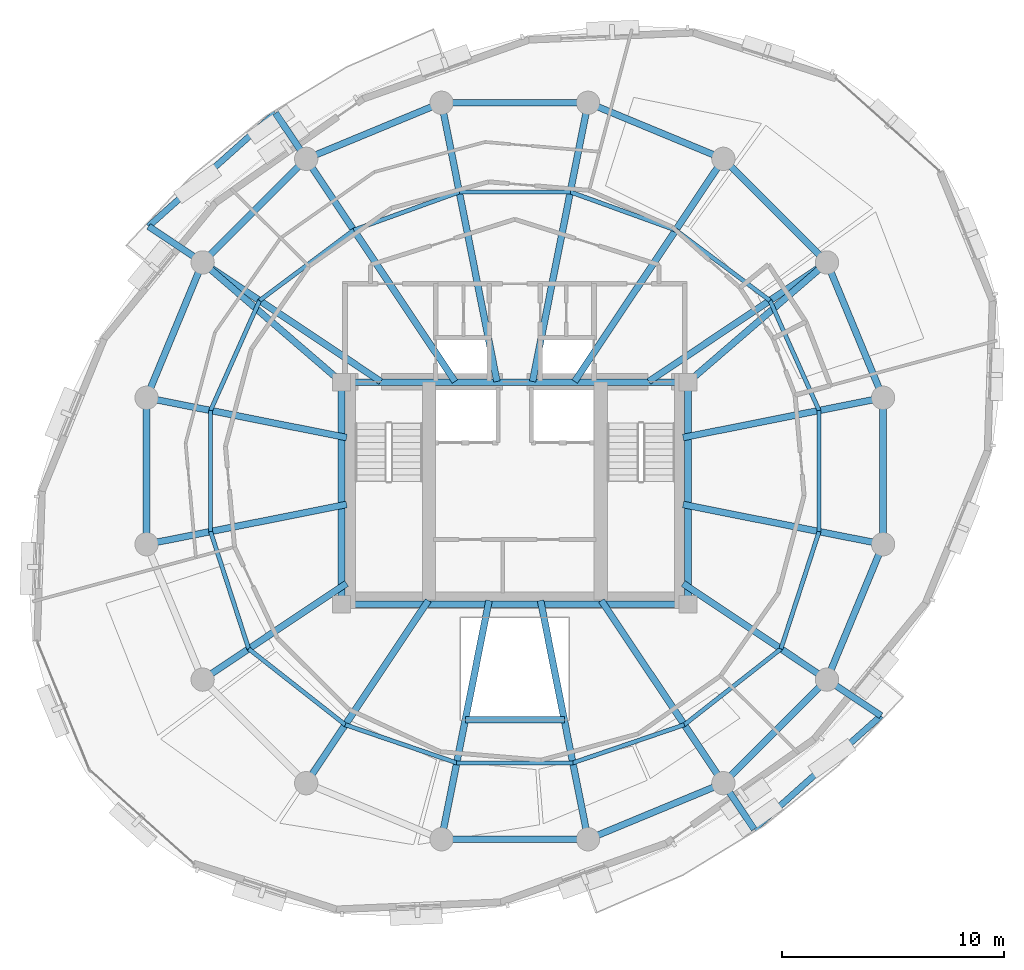
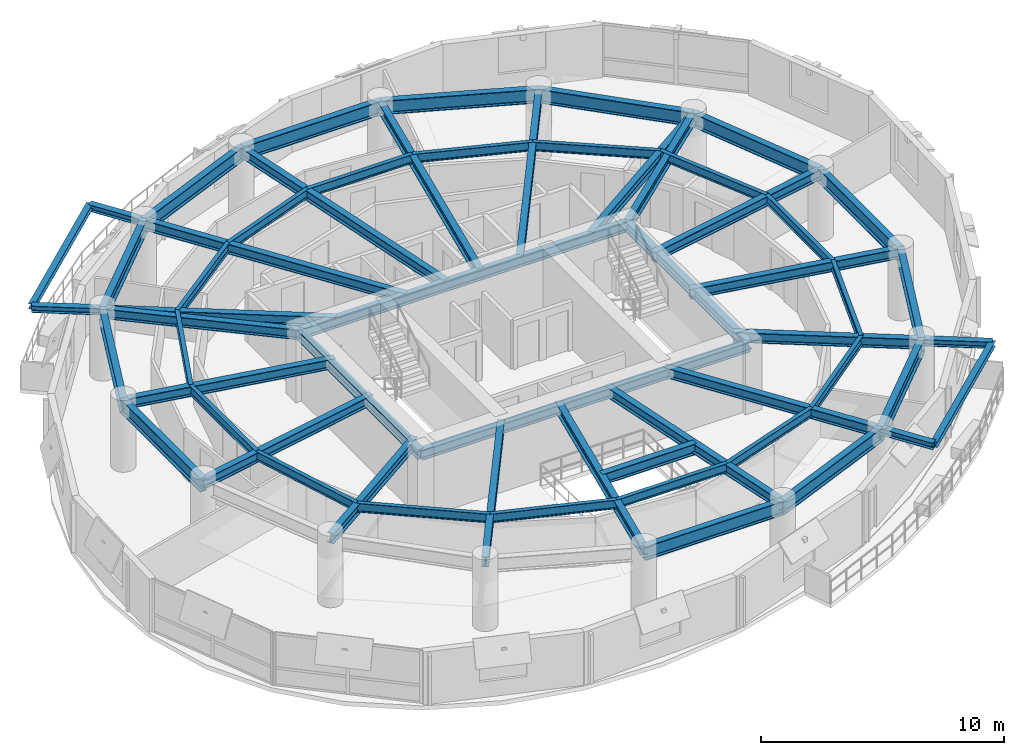
# One storey, part 4 of 11: 58 beams.
"""IFC4 building model written with IfcOpenShell, lengths in metres."""

from ifc_helpers import new_model, si_unit, direction, frame, origin, origin_2d, place, context, subcontext, project, spatial, i_section, extrude, material, material_profile, profile_set, type_object, element, save


model = new_model("IFC4")

# Units and contexts
model_context = context("Model", 3, precision=1e-05, world=origin(), true_north=direction((0.0, 1.0)))
body_context = subcontext(model_context, "Body", "Model", "MODEL_VIEW")
ifc_project = project(units=[si_unit("LENGTHUNIT", "METRE"), si_unit("AREAUNIT", "SQUARE_METRE"), si_unit("VOLUMEUNIT", "CUBIC_METRE"), si_unit("PLANEANGLEUNIT", "RADIAN"), si_unit("MASSUNIT", "GRAM", prefix="KILO"), si_unit("THERMODYNAMICTEMPERATUREUNIT", "KELVIN"), si_unit("POWERUNIT", "WATT")], contexts=[model_context])

# Site, building, storey
site_placement = place(None, origin())
site = spatial("IfcSite", under=ifc_project, at=site_placement, CompositionType="ELEMENT")
building_placement = place(site_placement, origin())
building = spatial("IfcBuilding", under=site, at=building_placement, Name="Ocrelia Relay Tower", CompositionType="ELEMENT")
storey_placement = place(building_placement, frame((0.0, 0.0, 180.800048828125)))
storey = spatial("IfcBuildingStorey", under=building, at=storey_placement, Name="L43", CompositionType="ELEMENT", Elevation=180.800048828125)

# Beams
ifc_material = material(Name="Steel S355", Category="steel")
ifc_material_profile_1 = material_profile(ifc_material, i_section(OverallWidth=0.280029296875, OverallDepth=0.27001953125, WebThickness=0.008056640625, FlangeThickness=0.012939453125, FilletRadius=0.02392578125, at=origin_2d()), Name="HEA 280")
ifc_profile_set_1 = profile_set([ifc_material_profile_1], Name="Steel S355")
beam_type_1 = type_object("IfcBeamType", Name="BM-HEA280", PredefinedType="BEAM", material=ifc_profile_set_1)
for number, where, z_axis, x_axis, name in (
    (1, (23.229736328125, 42.118896484375, 3.244873046875), (-0.745798567353, -0.666171522158, 0.0), (0.666171522158, -0.745798567353, 0.0), "L44 Balcony Edge Trimmer Beam B1"),
    (2, (44.770263671875, 9.881103515625, 3.244873046875), (0.745798567353, 0.666171522158, 0.0), (-0.666171522158, 0.745798567353, 0.0), "L44 Balcony Edge Trimmer Beam B2"),
):
    element("IfcBeam", number, at=place(storey_placement, frame(where, z_axis=z_axis, x_axis=x_axis)), inside=storey, type_object=beam_type_1, Name=name, PredefinedType="BEAM", context=body_context, shape_type="SweptSolid", body=[
        extrude(i_section(OverallWidth=0.280029296875, OverallDepth=0.27001953125, WebThickness=0.008056640625, FlangeThickness=0.012939453125, FilletRadius=0.02392578125, at=origin_2d()), origin(), (0.0, 0.0, 1.0), 7.662109375),
    ])
ifc_material_profile_2 = material_profile(ifc_material, i_section(OverallWidth=0.300048828125, OverallDepth=0.330078125, WebThickness=0.009521484375, FlangeThickness=0.0166015625, FilletRadius=0.027099609375, at=origin_2d()), Name="HEA 340")
ifc_profile_set_2 = profile_set([ifc_material_profile_2], Name="Steel S355")
beam_type_2 = type_object("IfcBeamType", Name="BM-HEA340", PredefinedType="BEAM", material=ifc_profile_set_2)
beam_1_placement = place(storey_placement, frame((24.61083984375, 40.0517578125, 3.21484375), z_axis=(-0.555538423207, 0.831490866059, 0.0), x_axis=(-0.831490866059, -0.555538423207, 0.0)))
element("IfcBeam", 3, at=beam_1_placement, inside=storey, type_object=beam_type_2, Name="L44 Balcony Cantilever Beam B1-1", PredefinedType="BEAM", context=body_context, shape_type="SweptSolid", body=[
    extrude(i_section(OverallWidth=0.300048828125, OverallDepth=0.330078125, WebThickness=0.009521484375, FlangeThickness=0.0166015625, FilletRadius=0.027099609375, at=origin_2d()), origin(), (0.0, 0.0, 1.0), 2.486083984375),
])
beam_2_placement = place(storey_placement, frame((19.9482421875, 35.38916015625, 3.21484375), z_axis=(-0.831485034675, 0.555547151115, 0.0), x_axis=(-0.555547151115, -0.831485034675, 0.0)))
element("IfcBeam", 4, at=beam_2_placement, inside=storey, type_object=beam_type_2, Name="L44 Balcony Cantilever Beam B1-2", PredefinedType="BEAM", context=body_context, shape_type="SweptSolid", body=[
    extrude(i_section(OverallWidth=0.300048828125, OverallDepth=0.330078125, WebThickness=0.009521484375, FlangeThickness=0.0166015625, FilletRadius=0.027099609375, at=origin_2d()), origin(), (0.0, 0.0, 1.0), 2.926025390625),
])
beam_3_placement = place(storey_placement, frame((43.38916015625, 11.9482421875, 3.21484375), z_axis=(0.555538423207, -0.831490866059, 0.0), x_axis=(0.831490866059, 0.555538423207, 0.0)))
element("IfcBeam", 5, at=beam_3_placement, inside=storey, type_object=beam_type_2, Name="L44 Balcony Cantilever Beam B2-1", PredefinedType="BEAM", context=body_context, shape_type="SweptSolid", body=[
    extrude(i_section(OverallWidth=0.300048828125, OverallDepth=0.330078125, WebThickness=0.009521484375, FlangeThickness=0.0166015625, FilletRadius=0.027099609375, at=origin_2d()), origin(), (0.0, 0.0, 1.0), 2.486083984375),
])
beam_4_placement = place(storey_placement, frame((48.0517578125, 16.61083984375, 3.21484375), z_axis=(0.831485034675, -0.555547151115, 0.0), x_axis=(0.555547151115, 0.831485034675, 0.0)))
element("IfcBeam", 6, at=beam_4_placement, inside=storey, type_object=beam_type_2, Name="L44 Balcony Cantilever Beam B2-2", PredefinedType="BEAM", context=body_context, shape_type="SweptSolid", body=[
    extrude(i_section(OverallWidth=0.300048828125, OverallDepth=0.330078125, WebThickness=0.009521484375, FlangeThickness=0.0166015625, FilletRadius=0.027099609375, at=origin_2d()), origin(), (0.0, 0.0, 1.0), 2.926025390625),
])
ifc_material_profile_3 = material_profile(ifc_material, i_section(OverallWidth=0.300048828125, OverallDepth=0.5, WebThickness=0.014404296875, FlangeThickness=0.028076171875, FilletRadius=0.027099609375, at=origin_2d()), Name="HEB 500")
ifc_profile_set_3 = profile_set([ifc_material_profile_3], Name="Steel S355")
beam_type_3 = type_object("IfcBeamType", Name="BM-HEB500", PredefinedType="BEAM", material=ifc_profile_set_3)
for number, where, z_axis, x_axis, name in (
    (7, (26.199951171875, 20.0, 3.1298828125), (1.0, 0.0, 0.0), (0.0, 1.0, 0.0), "L43 Core Pilaster Tie Beam S"),
    (8, (26.199951171875, 30.0, 3.1298828125), (1.0, 0.0, 0.0), (0.0, 1.0, 0.0), "L43 Core Pilaster Tie Beam N"),
):
    element("IfcBeam", number, at=place(storey_placement, frame(where, z_axis=z_axis, x_axis=x_axis)), inside=storey, type_object=beam_type_3, Name=name, PredefinedType="BEAM", context=body_context, shape_type="SweptSolid", body=[
        extrude(i_section(OverallWidth=0.300048828125, OverallDepth=0.5, WebThickness=0.014404296875, FlangeThickness=0.028076171875, FilletRadius=0.027099609375, at=origin_2d()), origin(), (0.0, 0.0, 1.0), 15.60009765625),
    ])
for number, where, z_axis, x_axis, name in (
    (9, (26.199951171875, 20.0, 3.1298828125), (0.0, 1.0, 0.0), (-1.0, 0.0, 0.0), "L43 Core Pilaster Tie Beam W"),
    (10, (41.800048828125, 20.0, 3.1298828125), (0.0, 1.0, 0.0), (-1.0, 0.0, 0.0), "L43 Core Pilaster Tie Beam E"),
):
    element("IfcBeam", number, at=place(storey_placement, frame(where, z_axis=z_axis, x_axis=x_axis)), inside=storey, type_object=beam_type_3, Name=name, PredefinedType="BEAM", context=body_context, shape_type="SweptSolid", body=[
        extrude(i_section(OverallWidth=0.300048828125, OverallDepth=0.5, WebThickness=0.014404296875, FlangeThickness=0.028076171875, FilletRadius=0.027099609375, at=origin_2d()), origin(), (0.0, 0.0, 1.0), 10.0),
    ])
beam_5_placement = place(storey_placement, frame((50.5751953125, 29.297119140625, 3.1298828125), z_axis=(-0.980783891197, -0.1950973059, 0.0), x_axis=(0.1950973059, -0.980783891197, 0.0)))
element("IfcBeam", 11, at=beam_5_placement, inside=storey, type_object=beam_type_3, Name="L43 Radial Floor Girder R01", PredefinedType="BEAM", context=body_context, shape_type="SweptSolid", body=[
    extrude(i_section(OverallWidth=0.300048828125, OverallDepth=0.5, WebThickness=0.014404296875, FlangeThickness=0.028076171875, FilletRadius=0.027099609375, at=origin_2d()), origin(), (0.0, 0.0, 1.0), 9.17138671875),
])
beam_6_placement = place(storey_placement, frame((48.0517578125, 35.38916015625, 3.1298828125), z_axis=(-0.831469666235, -0.555570152305, 0.0), x_axis=(0.555570152305, -0.831469666235, 0.0)))
element("IfcBeam", 12, at=beam_6_placement, inside=storey, type_object=beam_type_3, Name="L43 Radial Floor Girder R02", PredefinedType="BEAM", context=body_context, shape_type="SweptSolid", body=[
    extrude(i_section(OverallWidth=0.300048828125, OverallDepth=0.5, WebThickness=0.014404296875, FlangeThickness=0.028076171875, FilletRadius=0.027099609375, at=origin_2d()), origin(), (0.0, 0.0, 1.0), 9.646240234375),
])
beam_7_placement = place(storey_placement, frame((48.0517578125, 35.38916015625, 3.1298828125), z_axis=(-0.757424589403, -0.652922653434, 0.0), x_axis=(0.652922653434, -0.757424589403, 0.0)))
element("IfcBeam", 13, at=beam_7_placement, inside=storey, type_object=beam_type_3, Name="L43 Core Pilaster Frame Tie Beam PT02", PredefinedType="BEAM", context=body_context, shape_type="SweptSolid", body=[
    extrude(i_section(OverallWidth=0.300048828125, OverallDepth=0.5, WebThickness=0.014404296875, FlangeThickness=0.028076171875, FilletRadius=0.027099609375, at=origin_2d()), origin(), (0.0, 0.0, 1.0), 8.25390625),
])
beam_8_placement = place(storey_placement, frame((43.38916015625, 40.0517578125, 3.1298828125), z_axis=(-0.55556932408, -0.831470219636, 0.0), x_axis=(0.831470219636, -0.55556932408, 0.0)))
element("IfcBeam", 14, at=beam_8_placement, inside=storey, type_object=beam_type_3, Name="L43 Radial Floor Girder R03", PredefinedType="BEAM", context=body_context, shape_type="SweptSolid", body=[
    extrude(i_section(OverallWidth=0.300048828125, OverallDepth=0.5, WebThickness=0.014404296875, FlangeThickness=0.028076171875, FilletRadius=0.027099609375, at=origin_2d()), origin(), (0.0, 0.0, 1.0), 12.052978515625),
])
for number, where, z_axis, x_axis, name in (
    (15, (37.297119140625, 42.5751953125, 3.1298828125), (-0.195106626135, -0.980782037171, 0.0), (0.980782037171, -0.195106626135, 0.0), "L43 Radial Floor Girder R04"),
    (16, (30.702880859375, 42.5751953125, 3.1298828125), (0.195106626135, -0.980782037171, 0.0), (0.980782037171, 0.195106626135, 0.0), "L43 Radial Floor Girder R05"),
):
    element("IfcBeam", number, at=place(storey_placement, frame(where, z_axis=z_axis, x_axis=x_axis)), inside=storey, type_object=beam_type_3, Name=name, PredefinedType="BEAM", context=body_context, shape_type="SweptSolid", body=[
        extrude(i_section(OverallWidth=0.300048828125, OverallDepth=0.5, WebThickness=0.014404296875, FlangeThickness=0.028076171875, FilletRadius=0.027099609375, at=origin_2d()), origin(), (0.0, 0.0, 1.0), 12.791015625),
    ])
beam_9_placement = place(storey_placement, frame((24.61083984375, 40.0517578125, 3.1298828125), z_axis=(0.55556932408, -0.831470219636, 0.0), x_axis=(0.831470219636, 0.55556932408, 0.0)))
element("IfcBeam", 17, at=beam_9_placement, inside=storey, type_object=beam_type_3, Name="L43 Radial Floor Girder R06", PredefinedType="BEAM", context=body_context, shape_type="SweptSolid", body=[
    extrude(i_section(OverallWidth=0.300048828125, OverallDepth=0.5, WebThickness=0.014404296875, FlangeThickness=0.028076171875, FilletRadius=0.027099609375, at=origin_2d()), origin(), (0.0, 0.0, 1.0), 12.052978515625),
])
beam_10_placement = place(storey_placement, frame((19.9482421875, 35.38916015625, 3.1298828125), z_axis=(0.831469666235, -0.555570152305, 0.0), x_axis=(0.555570152305, 0.831469666235, 0.0)))
element("IfcBeam", 18, at=beam_10_placement, inside=storey, type_object=beam_type_3, Name="L43 Radial Floor Girder R07", PredefinedType="BEAM", context=body_context, shape_type="SweptSolid", body=[
    extrude(i_section(OverallWidth=0.300048828125, OverallDepth=0.5, WebThickness=0.014404296875, FlangeThickness=0.028076171875, FilletRadius=0.027099609375, at=origin_2d()), origin(), (0.0, 0.0, 1.0), 9.646240234375),
])
beam_11_placement = place(storey_placement, frame((19.9482421875, 35.38916015625, 3.1298828125), z_axis=(0.757424589403, -0.652922653434, 0.0), x_axis=(0.652922653434, 0.757424589403, 0.0)))
element("IfcBeam", 19, at=beam_11_placement, inside=storey, type_object=beam_type_3, Name="L43 Core Pilaster Frame Tie Beam PT07", PredefinedType="BEAM", context=body_context, shape_type="SweptSolid", body=[
    extrude(i_section(OverallWidth=0.300048828125, OverallDepth=0.5, WebThickness=0.014404296875, FlangeThickness=0.028076171875, FilletRadius=0.027099609375, at=origin_2d()), origin(), (0.0, 0.0, 1.0), 8.25390625),
])
for number, where, z_axis, x_axis, name in (
    (20, (17.4248046875, 29.297119140625, 3.1298828125), (0.980784683446, -0.195093323097, 0.0), (0.195093323097, 0.980784683446, 0.0), "L43 Radial Floor Girder R08"),
    (21, (17.4248046875, 22.702880859375, 3.1298828125), (0.980784683446, 0.195093323097, 0.0), (-0.195093323097, 0.980784683446, 0.0), "L43 Radial Floor Girder R09"),
):
    element("IfcBeam", number, at=place(storey_placement, frame(where, z_axis=z_axis, x_axis=x_axis)), inside=storey, type_object=beam_type_3, Name=name, PredefinedType="BEAM", context=body_context, shape_type="SweptSolid", body=[
        extrude(i_section(OverallWidth=0.300048828125, OverallDepth=0.5, WebThickness=0.014404296875, FlangeThickness=0.028076171875, FilletRadius=0.027099609375, at=origin_2d()), origin(), (0.0, 0.0, 1.0), 9.181640625),
    ])
beam_12_placement = place(storey_placement, frame((19.9482421875, 16.61083984375, 3.1298828125), z_axis=(0.831462012084, 0.555581607382, 0.0), x_axis=(-0.555581607382, 0.831462012084, 0.0)))
element("IfcBeam", 22, at=beam_12_placement, inside=storey, type_object=beam_type_3, Name="L43 Radial Floor Girder R10", PredefinedType="BEAM", context=body_context, shape_type="SweptSolid", body=[
    extrude(i_section(OverallWidth=0.300048828125, OverallDepth=0.5, WebThickness=0.014404296875, FlangeThickness=0.028076171875, FilletRadius=0.027099609375, at=origin_2d()), origin(), (0.0, 0.0, 1.0), 7.795654296875),
])
beam_13_placement = place(storey_placement, frame((24.61083984375, 11.9482421875, 3.1298828125), z_axis=(0.555577337069, 0.831464865485, 0.0), x_axis=(-0.831464865485, 0.555577337069, 0.0)))
element("IfcBeam", 23, at=beam_13_placement, inside=storey, type_object=beam_type_3, Name="L43 Radial Floor Girder R11", PredefinedType="BEAM", context=body_context, shape_type="SweptSolid", body=[
    extrude(i_section(OverallWidth=0.300048828125, OverallDepth=0.5, WebThickness=0.014404296875, FlangeThickness=0.028076171875, FilletRadius=0.027099609375, at=origin_2d()), origin(), (0.0, 0.0, 1.0), 9.88818359375),
])
for number, where, z_axis, x_axis, name in (
    (24, (30.702880859375, 9.4248046875, 3.1298828125), (0.195100373206, 0.980783281044, 0.0), (-0.980783281044, 0.195100373206, 0.0), "L43 Radial Floor Girder R12"),
    (25, (37.297119140625, 9.4248046875, 3.1298828125), (-0.195100373206, 0.980783281044, 0.0), (-0.980783281044, -0.195100373206, 0.0), "L43 Radial Floor Girder R13"),
):
    element("IfcBeam", number, at=place(storey_placement, frame(where, z_axis=z_axis, x_axis=x_axis)), inside=storey, type_object=beam_type_3, Name=name, PredefinedType="BEAM", context=body_context, shape_type="SweptSolid", body=[
        extrude(i_section(OverallWidth=0.300048828125, OverallDepth=0.5, WebThickness=0.014404296875, FlangeThickness=0.028076171875, FilletRadius=0.027099609375, at=origin_2d()), origin(), (0.0, 0.0, 1.0), 10.95556640625),
    ])
beam_14_placement = place(storey_placement, frame((43.38916015625, 11.9482421875, 3.1298828125), z_axis=(-0.555577337069, 0.831464865485, 0.0), x_axis=(-0.831464865485, -0.555577337069, 0.0)))
element("IfcBeam", 26, at=beam_14_placement, inside=storey, type_object=beam_type_3, Name="L43 Radial Floor Girder R14", PredefinedType="BEAM", context=body_context, shape_type="SweptSolid", body=[
    extrude(i_section(OverallWidth=0.300048828125, OverallDepth=0.5, WebThickness=0.014404296875, FlangeThickness=0.028076171875, FilletRadius=0.027099609375, at=origin_2d()), origin(), (0.0, 0.0, 1.0), 9.88818359375),
])
beam_15_placement = place(storey_placement, frame((48.0517578125, 16.61083984375, 3.1298828125), z_axis=(-0.831456272244, 0.555590197309, 0.0), x_axis=(-0.555590197309, -0.831456272244, 0.0)))
element("IfcBeam", 27, at=beam_15_placement, inside=storey, type_object=beam_type_3, Name="L43 Radial Floor Girder R15", PredefinedType="BEAM", context=body_context, shape_type="SweptSolid", body=[
    extrude(i_section(OverallWidth=0.300048828125, OverallDepth=0.5, WebThickness=0.014404296875, FlangeThickness=0.028076171875, FilletRadius=0.027099609375, at=origin_2d()), origin(), (0.0, 0.0, 1.0), 7.783447265625),
])
beam_16_placement = place(storey_placement, frame((50.5751953125, 22.702880859375, 3.1298828125), z_axis=(-0.980783891197, 0.1950973059, 0.0), x_axis=(-0.1950973059, -0.980783891197, 0.0)))
element("IfcBeam", 28, at=beam_16_placement, inside=storey, type_object=beam_type_3, Name="L43 Radial Floor Girder R16", PredefinedType="BEAM", context=body_context, shape_type="SweptSolid", body=[
    extrude(i_section(OverallWidth=0.300048828125, OverallDepth=0.5, WebThickness=0.014404296875, FlangeThickness=0.028076171875, FilletRadius=0.027099609375, at=origin_2d()), origin(), (0.0, 0.0, 1.0), 9.17138671875),
])
ifc_material_profile_4 = material_profile(ifc_material, i_section(OverallWidth=0.300048828125, OverallDepth=0.550048828125, WebThickness=0.014892578125, FlangeThickness=0.029052734375, FilletRadius=0.027099609375, at=origin_2d()), Name="HEB 550")
ifc_profile_set_4 = profile_set([ifc_material_profile_4], Name="Steel S355")
beam_type_4 = type_object("IfcBeamType", Name="BM-HEB550", PredefinedType="BEAM", material=ifc_profile_set_4)
beam_17_placement = place(storey_placement, frame((31.772216796875, 14.800048828125, 3.10498046875), z_axis=(1.0, 0.0, 0.0), x_axis=(0.0, 1.0, 0.0)))
element("IfcBeam", 29, at=beam_17_placement, inside=storey, type_object=beam_type_4, Name="L43 Atrium South Trimmer Beam", PredefinedType="BEAM", context=body_context, shape_type="SweptSolid", body=[
    extrude(i_section(OverallWidth=0.300048828125, OverallDepth=0.550048828125, WebThickness=0.014892578125, FlangeThickness=0.029052734375, FilletRadius=0.027099609375, at=origin_2d()), origin(), (0.0, 0.0, 1.0), 4.45556640625),
])
ifc_material_profile_5 = material_profile(ifc_material, i_section(OverallWidth=0.300048828125, OverallDepth=0.699951171875, WebThickness=0.01708984375, FlangeThickness=0.031982421875, FilletRadius=0.027099609375, at=origin_2d()), Name="HEB 700")
ifc_profile_set_5 = profile_set([ifc_material_profile_5], Name="Steel S355")
beam_type_5 = type_object("IfcBeamType", Name="BM-HEB700", PredefinedType="BEAM", material=ifc_profile_set_5)
for number, where, z_axis, x_axis, name in (
    (30, (50.5751953125, 29.297119140625, 3.030029296875), (-0.382687508402, 0.923877844151, 0.0), (-0.923877844151, -0.382687508402, 0.0), "L43 Perimeter Spandrel Beam S01"),
    (31, (48.0517578125, 35.38916015625, 3.030029296875), (-0.707106781187, 0.707106781187, 0.0), (-0.707106781187, -0.707106781187, 0.0), "L43 Perimeter Spandrel Beam S02"),
    (32, (43.38916015625, 40.0517578125, 3.030029296875), (-0.923877844151, 0.382687508402, 0.0), (-0.382687508402, -0.923877844151, 0.0), "L43 Perimeter Spandrel Beam S03"),
):
    element("IfcBeam", number, at=place(storey_placement, frame(where, z_axis=z_axis, x_axis=x_axis)), inside=storey, type_object=beam_type_5, Name=name, PredefinedType="BEAM", context=body_context, shape_type="SweptSolid", body=[
        extrude(i_section(OverallWidth=0.300048828125, OverallDepth=0.699951171875, WebThickness=0.01708984375, FlangeThickness=0.031982421875, FilletRadius=0.027099609375, at=origin_2d()), origin(), (0.0, 0.0, 1.0), 6.593994140625),
    ])
beam_18_placement = place(storey_placement, frame((37.297119140625, 42.5751953125, 3.030029296875), z_axis=(-1.0, 0.0, 0.0), x_axis=(0.0, -1.0, 0.0)))
element("IfcBeam", 33, at=beam_18_placement, inside=storey, type_object=beam_type_5, Name="L43 Perimeter Spandrel Beam S04", PredefinedType="BEAM", context=body_context, shape_type="SweptSolid", body=[
    extrude(i_section(OverallWidth=0.300048828125, OverallDepth=0.699951171875, WebThickness=0.01708984375, FlangeThickness=0.031982421875, FilletRadius=0.027099609375, at=origin_2d()), origin(), (0.0, 0.0, 1.0), 6.59423828125),
])
for number, where, z_axis, x_axis, name in (
    (34, (30.702880859375, 42.5751953125, 3.030029296875), (-0.923877844151, -0.382687508402, 0.0), (0.382687508402, -0.923877844151, 0.0), "L43 Perimeter Spandrel Beam S05"),
    (35, (24.61083984375, 40.0517578125, 3.030029296875), (-0.707106781187, -0.707106781187, 0.0), (0.707106781187, -0.707106781187, 0.0), "L43 Perimeter Spandrel Beam S06"),
    (36, (19.9482421875, 35.38916015625, 3.030029296875), (-0.382687508402, -0.923877844151, 0.0), (0.923877844151, -0.382687508402, 0.0), "L43 Perimeter Spandrel Beam S07"),
):
    element("IfcBeam", number, at=place(storey_placement, frame(where, z_axis=z_axis, x_axis=x_axis)), inside=storey, type_object=beam_type_5, Name=name, PredefinedType="BEAM", context=body_context, shape_type="SweptSolid", body=[
        extrude(i_section(OverallWidth=0.300048828125, OverallDepth=0.699951171875, WebThickness=0.01708984375, FlangeThickness=0.031982421875, FilletRadius=0.027099609375, at=origin_2d()), origin(), (0.0, 0.0, 1.0), 6.593994140625),
    ])
for number, where, z_axis, x_axis, name in (
    (37, (17.4248046875, 29.297119140625, 3.030029296875), (0.0, -1.0, 0.0), (1.0, 0.0, 0.0), "L43 Perimeter Spandrel Beam S08"),
    (38, (30.702880859375, 9.4248046875, 3.030029296875), (1.0, 0.0, 0.0), (0.0, 1.0, 0.0), "L43 Perimeter Spandrel Beam S12"),
):
    element("IfcBeam", number, at=place(storey_placement, frame(where, z_axis=z_axis, x_axis=x_axis)), inside=storey, type_object=beam_type_5, Name=name, PredefinedType="BEAM", context=body_context, shape_type="SweptSolid", body=[
        extrude(i_section(OverallWidth=0.300048828125, OverallDepth=0.699951171875, WebThickness=0.01708984375, FlangeThickness=0.031982421875, FilletRadius=0.027099609375, at=origin_2d()), origin(), (0.0, 0.0, 1.0), 6.59423828125),
    ])
for number, where, z_axis, x_axis, name in (
    (39, (37.297119140625, 9.4248046875, 3.030029296875), (0.923877844151, 0.382687508402, 0.0), (-0.382687508402, 0.923877844151, 0.0), "L43 Perimeter Spandrel Beam S13"),
    (40, (43.38916015625, 11.9482421875, 3.030029296875), (0.707106781187, 0.707106781187, 0.0), (-0.707106781187, 0.707106781187, 0.0), "L43 Perimeter Spandrel Beam S14"),
    (41, (48.0517578125, 16.61083984375, 3.030029296875), (0.382687508402, 0.923877844151, 0.0), (-0.923877844151, 0.382687508402, 0.0), "L43 Perimeter Spandrel Beam S15"),
):
    element("IfcBeam", number, at=place(storey_placement, frame(where, z_axis=z_axis, x_axis=x_axis)), inside=storey, type_object=beam_type_5, Name=name, PredefinedType="BEAM", context=body_context, shape_type="SweptSolid", body=[
        extrude(i_section(OverallWidth=0.300048828125, OverallDepth=0.699951171875, WebThickness=0.01708984375, FlangeThickness=0.031982421875, FilletRadius=0.027099609375, at=origin_2d()), origin(), (0.0, 0.0, 1.0), 6.593994140625),
    ])
beam_19_placement = place(storey_placement, frame((50.5751953125, 22.702880859375, 3.030029296875), z_axis=(0.0, 1.0, 0.0), x_axis=(-1.0, 0.0, 0.0)))
element("IfcBeam", 42, at=beam_19_placement, inside=storey, type_object=beam_type_5, Name="L43 Perimeter Spandrel Beam S16", PredefinedType="BEAM", context=body_context, shape_type="SweptSolid", body=[
    extrude(i_section(OverallWidth=0.300048828125, OverallDepth=0.699951171875, WebThickness=0.01708984375, FlangeThickness=0.031982421875, FilletRadius=0.027099609375, at=origin_2d()), origin(), (0.0, 0.0, 1.0), 6.59423828125),
])
ifc_material_profile_6 = material_profile(ifc_material, i_section(OverallWidth=0.18994140625, OverallDepth=0.449951171875, WebThickness=0.009521484375, FlangeThickness=0.0146484375, FilletRadius=0.02099609375, at=origin_2d()), Name="IPE 450")
ifc_profile_set_6 = profile_set([ifc_material_profile_6], Name="Steel S355")
beam_type_6 = type_object("IfcBeamType", Name="BM-IPE450", PredefinedType="JOIST", material=ifc_profile_set_6)
beam_20_placement = place(storey_placement, frame((47.69677734375, 28.724365234375, 3.155029296875), z_axis=(-0.407938464853, 0.913009424318, 0.0), x_axis=(-0.913009424318, -0.407938464853, 0.0)))
element("IfcBeam", 43, at=beam_20_placement, inside=storey, type_object=beam_type_6, Name="L43 Secondary Floor Joist J01", PredefinedType="JOIST", context=body_context, shape_type="SweptSolid", body=[
    extrude(i_section(OverallWidth=0.18994140625, OverallDepth=0.449951171875, WebThickness=0.009521484375, FlangeThickness=0.0146484375, FilletRadius=0.02099609375, at=origin_2d()), origin(), (0.0, 0.0, 1.0), 5.421630859375),
])
beam_21_placement = place(storey_placement, frame((45.485107421875, 33.67431640625, 3.155029296875), z_axis=(-0.800785247359, 0.598951573678, 0.0), x_axis=(-0.598951573678, -0.800785247359, 0.0)))
element("IfcBeam", 44, at=beam_21_placement, inside=storey, type_object=beam_type_6, Name="L43 Secondary Floor Joist J02", PredefinedType="JOIST", context=body_context, shape_type="SweptSolid", body=[
    extrude(i_section(OverallWidth=0.18994140625, OverallDepth=0.449951171875, WebThickness=0.009521484375, FlangeThickness=0.0146484375, FilletRadius=0.02099609375, at=origin_2d()), origin(), (0.0, 0.0, 1.0), 5.293212890625),
])
beam_22_placement = place(storey_placement, frame((41.246337890625, 36.8447265625, 3.155029296875), z_axis=(-0.940453871246, 0.339921338046, 0.0), x_axis=(-0.339921338046, -0.940453871246, 0.0)))
element("IfcBeam", 45, at=beam_22_placement, inside=storey, type_object=beam_type_6, Name="L43 Secondary Floor Joist J03", PredefinedType="JOIST", context=body_context, shape_type="SweptSolid", body=[
    extrude(i_section(OverallWidth=0.18994140625, OverallDepth=0.449951171875, WebThickness=0.009521484375, FlangeThickness=0.0146484375, FilletRadius=0.02099609375, at=origin_2d()), origin(), (0.0, 0.0, 1.0), 5.04833984375),
])
beam_23_placement = place(storey_placement, frame((36.49853515625, 38.560791015625, 3.155029296875), z_axis=(-1.0, 0.0, 0.0), x_axis=(0.0, -1.0, 0.0)))
element("IfcBeam", 46, at=beam_23_placement, inside=storey, type_object=beam_type_6, Name="L43 Secondary Floor Joist J04", PredefinedType="JOIST", context=body_context, shape_type="SweptSolid", body=[
    extrude(i_section(OverallWidth=0.18994140625, OverallDepth=0.449951171875, WebThickness=0.009521484375, FlangeThickness=0.0146484375, FilletRadius=0.02099609375, at=origin_2d()), origin(), (0.0, 0.0, 1.0), 4.9970703125),
])
beam_24_placement = place(storey_placement, frame((31.50146484375, 38.560791015625, 3.155029296875), z_axis=(-0.940453871246, -0.339921338046, 0.0), x_axis=(0.339921338046, -0.940453871246, 0.0)))
element("IfcBeam", 47, at=beam_24_placement, inside=storey, type_object=beam_type_6, Name="L43 Secondary Floor Joist J05", PredefinedType="JOIST", context=body_context, shape_type="SweptSolid", body=[
    extrude(i_section(OverallWidth=0.18994140625, OverallDepth=0.449951171875, WebThickness=0.009521484375, FlangeThickness=0.0146484375, FilletRadius=0.02099609375, at=origin_2d()), origin(), (0.0, 0.0, 1.0), 5.04833984375),
])
beam_25_placement = place(storey_placement, frame((26.753662109375, 36.8447265625, 3.155029296875), z_axis=(-0.800785247359, -0.598951573678, 0.0), x_axis=(0.598951573678, -0.800785247359, 0.0)))
element("IfcBeam", 48, at=beam_25_placement, inside=storey, type_object=beam_type_6, Name="L43 Secondary Floor Joist J06", PredefinedType="JOIST", context=body_context, shape_type="SweptSolid", body=[
    extrude(i_section(OverallWidth=0.18994140625, OverallDepth=0.449951171875, WebThickness=0.009521484375, FlangeThickness=0.0146484375, FilletRadius=0.02099609375, at=origin_2d()), origin(), (0.0, 0.0, 1.0), 5.293212890625),
])
beam_26_placement = place(storey_placement, frame((22.514892578125, 33.67431640625, 3.155029296875), z_axis=(-0.407416785709, -0.913242335157, 0.0), x_axis=(0.913242335157, -0.407416785709, 0.0)))
element("IfcBeam", 49, at=beam_26_placement, inside=storey, type_object=beam_type_6, Name="L43 Secondary Floor Joist J07", PredefinedType="JOIST", context=body_context, shape_type="SweptSolid", body=[
    extrude(i_section(OverallWidth=0.18994140625, OverallDepth=0.449951171875, WebThickness=0.009521484375, FlangeThickness=0.0146484375, FilletRadius=0.02099609375, at=origin_2d()), origin(), (0.0, 0.0, 1.0), 5.420654296875),
])
beam_27_placement = place(storey_placement, frame((20.306396484375, 28.723876953125, 3.155029296875), z_axis=(0.0, -1.0, 0.0), x_axis=(1.0, 0.0, 0.0)))
element("IfcBeam", 50, at=beam_27_placement, inside=storey, type_object=beam_type_6, Name="L43 Secondary Floor Joist J08", PredefinedType="JOIST", context=body_context, shape_type="SweptSolid", body=[
    extrude(i_section(OverallWidth=0.18994140625, OverallDepth=0.449951171875, WebThickness=0.009521484375, FlangeThickness=0.0146484375, FilletRadius=0.02099609375, at=origin_2d()), origin(), (0.0, 0.0, 1.0), 5.44775390625),
])
beam_28_placement = place(storey_placement, frame((20.306396484375, 23.276123046875, 3.155029296875), z_axis=(0.309133805786, -0.951018554036, 0.0), x_axis=(0.951018554036, 0.309133805786, 0.0)))
element("IfcBeam", 51, at=beam_28_placement, inside=storey, type_object=beam_type_6, Name="L43 Secondary Floor Joist J09", PredefinedType="JOIST", context=body_context, shape_type="SweptSolid", body=[
    extrude(i_section(OverallWidth=0.18994140625, OverallDepth=0.449951171875, WebThickness=0.009521484375, FlangeThickness=0.0146484375, FilletRadius=0.02099609375, at=origin_2d()), origin(), (0.0, 0.0, 1.0), 5.55126953125),
])
beam_29_placement = place(storey_placement, frame((22.0224609375, 17.996826171875, 3.155029296875), z_axis=(0.786083859045, -0.618119864224, 0.0), x_axis=(0.618119864224, 0.786083859045, 0.0)))
element("IfcBeam", 52, at=beam_29_placement, inside=storey, type_object=beam_type_6, Name="L43 Secondary Floor Joist J10", PredefinedType="JOIST", context=body_context, shape_type="SweptSolid", body=[
    extrude(i_section(OverallWidth=0.18994140625, OverallDepth=0.449951171875, WebThickness=0.009521484375, FlangeThickness=0.0146484375, FilletRadius=0.02099609375, at=origin_2d()), origin(), (0.0, 0.0, 1.0), 5.529296875),
])
beam_30_placement = place(storey_placement, frame((26.368896484375, 14.5791015625, 3.155029296875), z_axis=(0.946215174492, -0.323538009454, 0.0), x_axis=(0.323538009454, 0.946215174492, 0.0)))
element("IfcBeam", 53, at=beam_30_placement, inside=storey, type_object=beam_type_6, Name="L43 Secondary Floor Joist J11", PredefinedType="JOIST", context=body_context, shape_type="SweptSolid", body=[
    extrude(i_section(OverallWidth=0.18994140625, OverallDepth=0.449951171875, WebThickness=0.009521484375, FlangeThickness=0.0146484375, FilletRadius=0.02099609375, at=origin_2d()), origin(), (0.0, 0.0, 1.0), 5.30322265625),
])
beam_31_placement = place(storey_placement, frame((31.386962890625, 12.86328125, 3.155029296875), z_axis=(1.0, 0.0, 0.0), x_axis=(0.0, 1.0, 0.0)))
element("IfcBeam", 54, at=beam_31_placement, inside=storey, type_object=beam_type_6, Name="L43 Secondary Floor Joist J12", PredefinedType="JOIST", context=body_context, shape_type="SweptSolid", body=[
    extrude(i_section(OverallWidth=0.18994140625, OverallDepth=0.449951171875, WebThickness=0.009521484375, FlangeThickness=0.0146484375, FilletRadius=0.02099609375, at=origin_2d()), origin(), (0.0, 0.0, 1.0), 5.22607421875),
])
beam_32_placement = place(storey_placement, frame((36.613037109375, 12.86328125, 3.155029296875), z_axis=(0.946215174492, 0.323538009454, 0.0), x_axis=(-0.323538009454, 0.946215174492, 0.0)))
element("IfcBeam", 55, at=beam_32_placement, inside=storey, type_object=beam_type_6, Name="L43 Secondary Floor Joist J13", PredefinedType="JOIST", context=body_context, shape_type="SweptSolid", body=[
    extrude(i_section(OverallWidth=0.18994140625, OverallDepth=0.449951171875, WebThickness=0.009521484375, FlangeThickness=0.0146484375, FilletRadius=0.02099609375, at=origin_2d()), origin(), (0.0, 0.0, 1.0), 5.30322265625),
])
beam_33_placement = place(storey_placement, frame((41.631103515625, 14.5791015625, 3.155029296875), z_axis=(0.78649600233, 0.617595367793, 0.0), x_axis=(-0.617595367793, 0.78649600233, 0.0)))
element("IfcBeam", 56, at=beam_33_placement, inside=storey, type_object=beam_type_6, Name="L43 Secondary Floor Joist J14", PredefinedType="JOIST", context=body_context, shape_type="SweptSolid", body=[
    extrude(i_section(OverallWidth=0.18994140625, OverallDepth=0.449951171875, WebThickness=0.009521484375, FlangeThickness=0.0146484375, FilletRadius=0.02099609375, at=origin_2d()), origin(), (0.0, 0.0, 1.0), 5.5302734375),
])
beam_34_placement = place(storey_placement, frame((45.980712890625, 17.99462890625, 3.155029296875), z_axis=(0.309043322978, 0.95104796121, 0.0), x_axis=(-0.95104796121, 0.309043322978, 0.0)))
element("IfcBeam", 57, at=beam_34_placement, inside=storey, type_object=beam_type_6, Name="L43 Secondary Floor Joist J15", PredefinedType="JOIST", context=body_context, shape_type="SweptSolid", body=[
    extrude(i_section(OverallWidth=0.18994140625, OverallDepth=0.449951171875, WebThickness=0.009521484375, FlangeThickness=0.0146484375, FilletRadius=0.02099609375, at=origin_2d()), origin(), (0.0, 0.0, 1.0), 5.552734375),
])
beam_35_placement = place(storey_placement, frame((47.69677734375, 23.275634765625, 3.155029296875), z_axis=(0.0, 1.0, 0.0), x_axis=(-1.0, 0.0, 0.0)))
element("IfcBeam", 58, at=beam_35_placement, inside=storey, type_object=beam_type_6, Name="L43 Secondary Floor Joist J16", PredefinedType="JOIST", context=body_context, shape_type="SweptSolid", body=[
    extrude(i_section(OverallWidth=0.18994140625, OverallDepth=0.449951171875, WebThickness=0.009521484375, FlangeThickness=0.0146484375, FilletRadius=0.02099609375, at=origin_2d()), origin(), (0.0, 0.0, 1.0), 5.44873046875),
])

save(model, "model.ifc")
